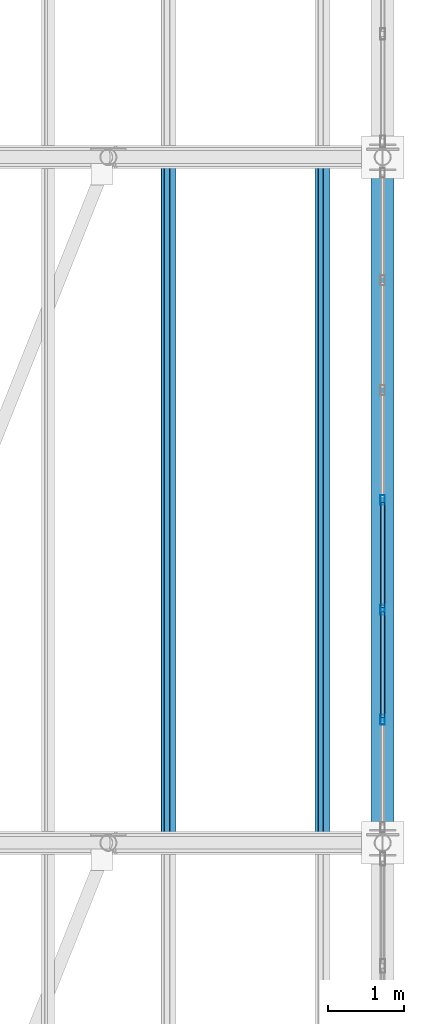
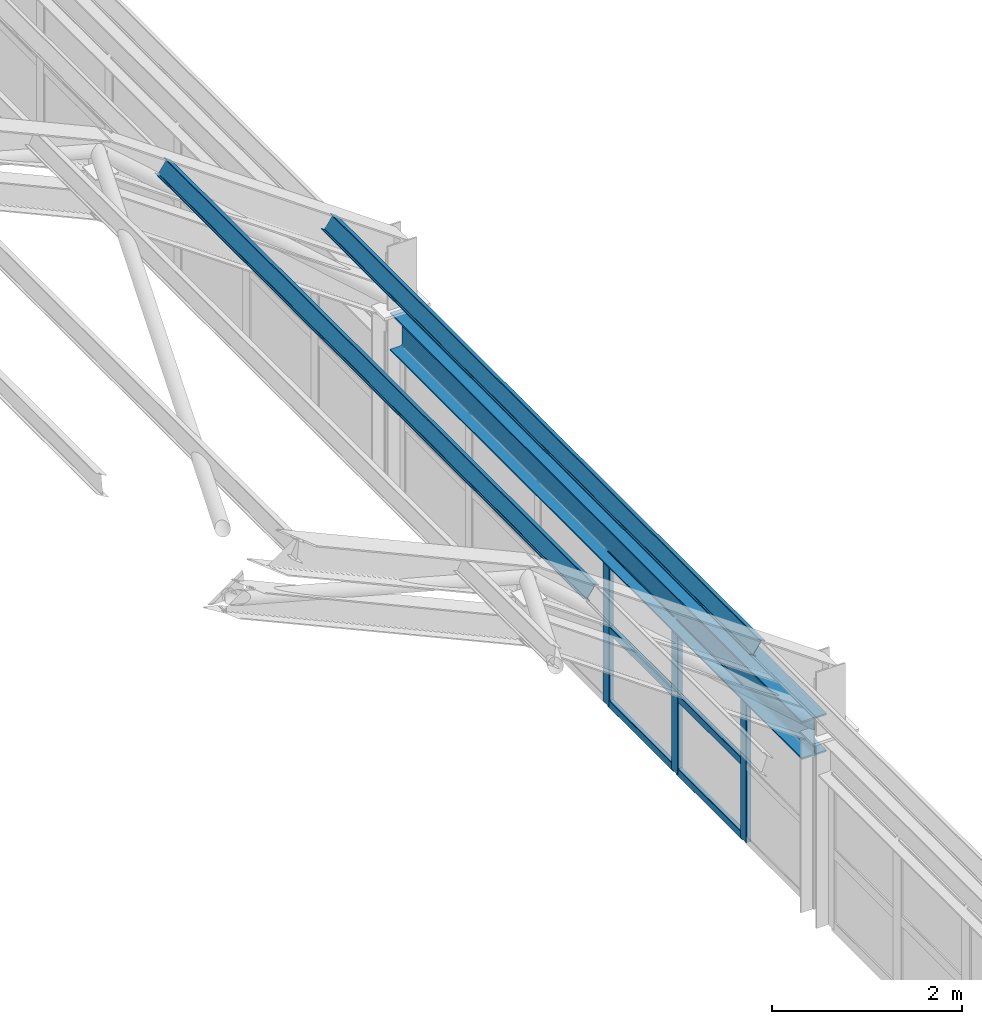
# One storey, part 79 of 121: 11 members, 1 beam, 1 element without a shape of its own.
"""IFC4 building model written with IfcOpenShell, lengths in metres."""

from ifc_helpers import new_model, si_unit, direction, frame, origin, origin_2d, place, context, subcontext, project, spatial, hollow_rectangle, i_section, extrude, material, material_profile, profile_set, type_object, element, aggregate, save


model = new_model("IFC4")

# Units and contexts
model_context = context("Model", 3, precision=1e-05, world=origin(), true_north=direction((0.0, 1.0)))
body_context = subcontext(model_context, "Body", "Model", "MODEL_VIEW")
ifc_project = project(units=[si_unit("LENGTHUNIT", "METRE"), si_unit("AREAUNIT", "SQUARE_METRE"), si_unit("VOLUMEUNIT", "CUBIC_METRE"), si_unit("PLANEANGLEUNIT", "RADIAN"), si_unit("MASSUNIT", "GRAM", prefix="KILO")], contexts=[model_context])

# Site, building, storey
site_placement = place(None, origin())
site = spatial("IfcSite", under=ifc_project, at=site_placement, CompositionType="ELEMENT")
building_placement = place(site_placement, origin())
building = spatial("IfcBuilding", under=site, at=building_placement, Name="Canglan Escarpment Cableway Terminal", CompositionType="ELEMENT")
storey_placement = place(building_placement, frame((0.0, 0.0, 24.60009765625)))
storey = spatial("IfcBuildingStorey", under=building, at=storey_placement, Name="L05", CompositionType="ELEMENT", Elevation=24.60009765625)

# Beam
ifc_material_1 = material(Name="Steel Q355B", Category="steel")
ifc_material_profile_1 = material_profile(ifc_material_1, i_section(OverallWidth=0.300048828125, OverallDepth=0.488037109375, WebThickness=0.010986328125, FlangeThickness=0.01806640625, FilletRadius=0.02587890625, at=origin_2d()), Name="HM 488x300x11x18")
ifc_profile_set_1 = profile_set([ifc_material_profile_1], Name="Steel Q355B")
beam_type = type_object("IfcBeamType", Name="BM-HM488", PredefinedType="BEAM", material=ifc_profile_set_1)
beam_placement = place(storey_placement, frame((166.39990234375, 106.175048828125, 2.1884765625), z_axis=(0.0, 1.0, 0.0), x_axis=(-1.0, 0.0, 0.0)))
element("IfcBeam", 1, at=beam_placement, inside=storey, type_object=beam_type, Name="Vault springing ring girder B-09", PredefinedType="BEAM", context=body_context, shape_type="SweptSolid", body=[
    extrude(i_section(OverallWidth=0.300048828125, OverallDepth=0.488037109375, WebThickness=0.010986328125, FlangeThickness=0.01806640625, FilletRadius=0.02587890625, at=origin_2d()), origin(), (0.0, 0.0, 1.0), 8.64990234375),
])

# Curtain wall, members
ifc_material_2 = material(Name="Anodized bronze aluminium and Low-E double glazing", Category="aluminium")
curtain_wall_type = type_object("IfcCurtainWallType", Name="CW-BAY-8650x1950", PredefinedType="NOTDEFINED", material=ifc_material_2)
curtain_wall_placement = place(storey_placement, origin())
curtain_wall = element("IfcCurtainWall", 2, at=curtain_wall_placement, inside=storey, type_object=curtain_wall_type, Name="Classical bay-between-piers glazed curtain wall CW-66", PredefinedType="NOTDEFINED")
ifc_material_3 = material(Name="Thermally broken anodized aluminium 6063-T6", Category="aluminium")
ifc_material_profile_2 = material_profile(ifc_material_3, hollow_rectangle(XDim=0.06005859375, YDim=0.1298828125, WallThickness=0.0029296875, InnerFilletRadius=0.0029296875, OuterFilletRadius=0.006103515625, at=origin_2d()), Name="ALU-MULL 60x130x3")
ifc_profile_set_2 = profile_set([ifc_material_profile_2], Name="Thermally broken anodized aluminium 6063-T6")
member_type_1 = type_object("IfcMemberType", Name="CWM-01", PredefinedType="MULLION", material=ifc_profile_set_2)
member_1_placement = place(storey_placement, frame((166.39990234375, 107.61669921875, 0.0), z_axis=(0.0, 0.0, 1.0), x_axis=(-1.0, 0.0, 0.0)))
member_1 = element("IfcMember", 3, at=member_1_placement, type_object=member_type_1, Name="CW-66 mullion 2", PredefinedType="MULLION", context=body_context, shape_type="SweptSolid", body=[
    extrude(hollow_rectangle(XDim=0.06005859375, YDim=0.1298828125, WallThickness=0.0029296875, InnerFilletRadius=0.0029296875, OuterFilletRadius=0.006103515625, at=origin_2d()), origin(), (0.0, 0.0, 1.0), 1.949951171875),
])
member_2_placement = place(storey_placement, frame((166.39990234375, 109.058349609375, 0.0), z_axis=(0.0, 0.0, 1.0), x_axis=(-1.0, 0.0, 0.0)))
member_2 = element("IfcMember", 4, at=member_2_placement, type_object=member_type_1, Name="CW-66 mullion 3", PredefinedType="MULLION", context=body_context, shape_type="SweptSolid", body=[
    extrude(hollow_rectangle(XDim=0.06005859375, YDim=0.1298828125, WallThickness=0.0029296875, InnerFilletRadius=0.0029296875, OuterFilletRadius=0.006103515625, at=origin_2d()), origin(), (0.0, 0.0, 1.0), 1.949951171875),
])
member_3_placement = place(storey_placement, frame((166.39990234375, 110.5, 0.0), z_axis=(0.0, 0.0, 1.0), x_axis=(-1.0, 0.0, 0.0)))
member_3 = element("IfcMember", 5, at=member_3_placement, type_object=member_type_1, Name="CW-66 mullion 4", PredefinedType="MULLION", context=body_context, shape_type="SweptSolid", body=[
    extrude(hollow_rectangle(XDim=0.06005859375, YDim=0.1298828125, WallThickness=0.0029296875, InnerFilletRadius=0.0029296875, OuterFilletRadius=0.006103515625, at=origin_2d()), origin(), (0.0, 0.0, 1.0), 1.949951171875),
])
ifc_material_profile_3 = material_profile(ifc_material_3, hollow_rectangle(XDim=0.054931640625, YDim=0.094970703125, WallThickness=0.0029296875, InnerFilletRadius=0.0029296875, OuterFilletRadius=0.006103515625, at=origin_2d()), Name="ALU-TRAN 55x95x3")
ifc_profile_set_3 = profile_set([ifc_material_profile_3], Name="Thermally broken anodized aluminium 6063-T6")
member_type_2 = type_object("IfcMemberType", Name="CWT-01", PredefinedType="USERDEFINED", material=ifc_profile_set_3)
member_4_placement = place(storey_placement, frame((166.39990234375, 107.646728515625, 0.02734375), z_axis=(0.0, 1.0, 0.0), x_axis=(-1.0, 0.0, 0.0)))
member_4 = element("IfcMember", 6, at=member_4_placement, type_object=member_type_2, Name="CW-66 transom 2.1", ObjectType="TRANSOM", PredefinedType="USERDEFINED", context=body_context, shape_type="SweptSolid", body=[
    extrude(hollow_rectangle(XDim=0.054931640625, YDim=0.094970703125, WallThickness=0.0029296875, InnerFilletRadius=0.0029296875, OuterFilletRadius=0.006103515625, at=origin_2d()), origin(), (0.0, 0.0, 1.0), 1.381591796875),
])
member_5_placement = place(storey_placement, frame((166.39990234375, 107.646728515625, 0.974853515625), z_axis=(0.0, 1.0, 0.0), x_axis=(-1.0, 0.0, 0.0)))
member_5 = element("IfcMember", 7, at=member_5_placement, type_object=member_type_2, Name="CW-66 transom 2.2", ObjectType="TRANSOM", PredefinedType="USERDEFINED", context=body_context, shape_type="SweptSolid", body=[
    extrude(hollow_rectangle(XDim=0.054931640625, YDim=0.094970703125, WallThickness=0.0029296875, InnerFilletRadius=0.0029296875, OuterFilletRadius=0.006103515625, at=origin_2d()), origin(), (0.0, 0.0, 1.0), 1.381591796875),
])
member_6_placement = place(storey_placement, frame((166.39990234375, 107.646728515625, 1.92236328125), z_axis=(0.0, 1.0, 0.0), x_axis=(-1.0, 0.0, 0.0)))
member_6 = element("IfcMember", 8, at=member_6_placement, type_object=member_type_2, Name="CW-66 transom 2.3", ObjectType="TRANSOM", PredefinedType="USERDEFINED", context=body_context, shape_type="SweptSolid", body=[
    extrude(hollow_rectangle(XDim=0.054931640625, YDim=0.094970703125, WallThickness=0.0029296875, InnerFilletRadius=0.0029296875, OuterFilletRadius=0.006103515625, at=origin_2d()), origin(), (0.0, 0.0, 1.0), 1.381591796875),
])
member_7_placement = place(storey_placement, frame((166.39990234375, 109.08837890625, 0.02734375), z_axis=(0.0, 1.0, 0.0), x_axis=(-1.0, 0.0, 0.0)))
member_7 = element("IfcMember", 9, at=member_7_placement, type_object=member_type_2, Name="CW-66 transom 3.1", ObjectType="TRANSOM", PredefinedType="USERDEFINED", context=body_context, shape_type="SweptSolid", body=[
    extrude(hollow_rectangle(XDim=0.054931640625, YDim=0.094970703125, WallThickness=0.0029296875, InnerFilletRadius=0.0029296875, OuterFilletRadius=0.006103515625, at=origin_2d()), origin(), (0.0, 0.0, 1.0), 1.381591796875),
])
member_8_placement = place(storey_placement, frame((166.39990234375, 109.08837890625, 0.974853515625), z_axis=(0.0, 1.0, 0.0), x_axis=(-1.0, 0.0, 0.0)))
member_8 = element("IfcMember", 10, at=member_8_placement, type_object=member_type_2, Name="CW-66 transom 3.2", ObjectType="TRANSOM", PredefinedType="USERDEFINED", context=body_context, shape_type="SweptSolid", body=[
    extrude(hollow_rectangle(XDim=0.054931640625, YDim=0.094970703125, WallThickness=0.0029296875, InnerFilletRadius=0.0029296875, OuterFilletRadius=0.006103515625, at=origin_2d()), origin(), (0.0, 0.0, 1.0), 1.381591796875),
])
member_9_placement = place(storey_placement, frame((166.39990234375, 109.08837890625, 1.92236328125), z_axis=(0.0, 1.0, 0.0), x_axis=(-1.0, 0.0, 0.0)))
member_9 = element("IfcMember", 11, at=member_9_placement, type_object=member_type_2, Name="CW-66 transom 3.3", ObjectType="TRANSOM", PredefinedType="USERDEFINED", context=body_context, shape_type="SweptSolid", body=[
    extrude(hollow_rectangle(XDim=0.054931640625, YDim=0.094970703125, WallThickness=0.0029296875, InnerFilletRadius=0.0029296875, OuterFilletRadius=0.006103515625, at=origin_2d()), origin(), (0.0, 0.0, 1.0), 1.381591796875),
])
aggregate(curtain_wall, [member_1, member_2, member_3, member_4, member_5, member_6, member_7, member_8, member_9])

# Members
ifc_material_profile_4 = material_profile(ifc_material_1, i_section(OverallWidth=0.10009765625, OverallDepth=0.199951171875, WebThickness=0.005615234375, FlangeThickness=0.008056640625, FilletRadius=0.010986328125, at=origin_2d()), Name="HN 200x100x5.5x8")
ifc_profile_set_4 = profile_set([ifc_material_profile_4], Name="Steel Q355B")
member_type_3 = type_object("IfcMemberType", Name="MB-VAULT-PUR-HN200", PredefinedType="PURLIN", material=ifc_profile_set_4)
for number, where, z_axis, x_axis, name in (
    (12, (163.592041015625, 106.0, 5.1318359375), (0.0, 1.0, 0.0), (-0.817727996784, 0.0, 0.575604832568), "Barrel-vault roof purlin PR-01"),
    (13, (165.60791015625, 106.0, 3.712890625), (0.0, 1.0, 0.0), (-0.817727996784, 0.0, 0.575604832568), "Barrel-vault roof purlin PR-01"),
):
    element("IfcMember", number, at=place(storey_placement, frame(where, z_axis=z_axis, x_axis=x_axis)), inside=storey, type_object=member_type_3, Name=name, PredefinedType="PURLIN", context=body_context, shape_type="SweptSolid", body=[
        extrude(i_section(OverallWidth=0.10009765625, OverallDepth=0.199951171875, WebThickness=0.005615234375, FlangeThickness=0.008056640625, FilletRadius=0.010986328125, at=origin_2d()), origin(), (0.0, 0.0, 1.0), 9.0),
    ])

save(model, "model.ifc")
